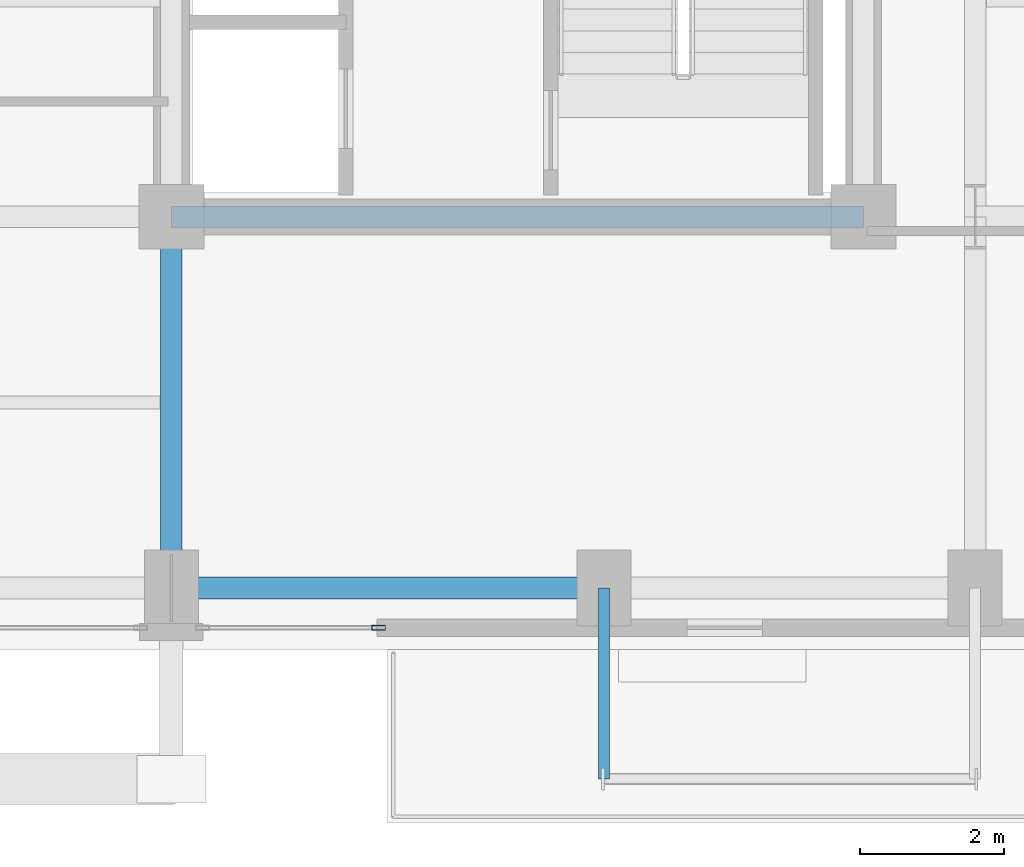
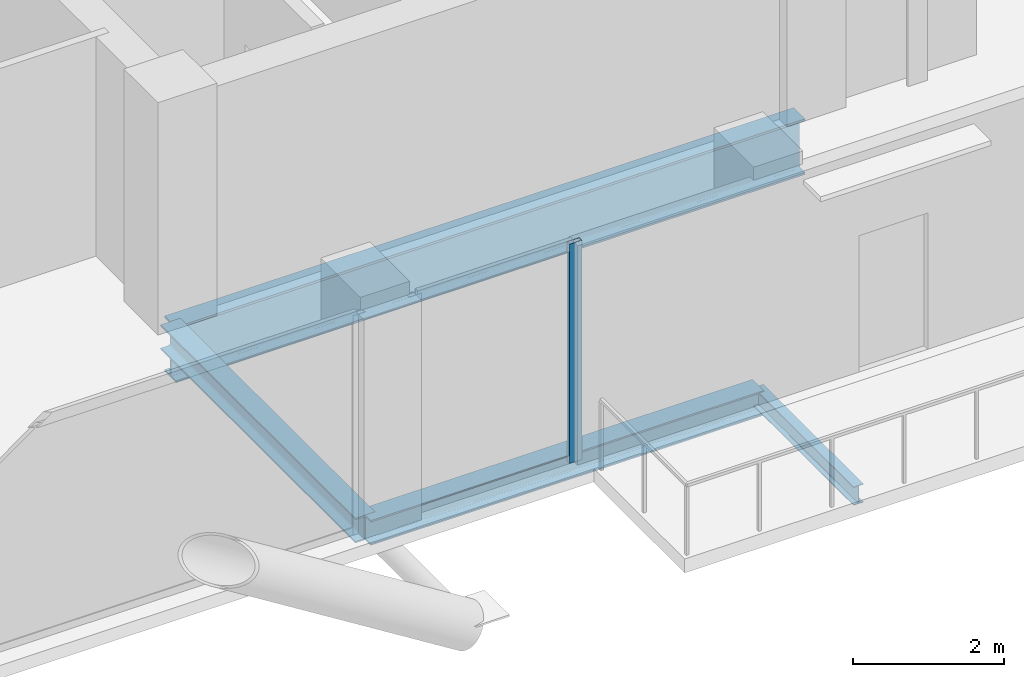
# One storey, part 5 of 25: 4 beams, 1 member, 1 element without a shape of its own.
"""IFC4 building model written with IfcOpenShell, lengths in metres."""

from ifc_helpers import new_model, si_unit, direction, frame, origin, origin_2d, place, context, subcontext, project, spatial, hollow_rectangle, i_section, extrude, material, layer, layer_set, material_profile, profile_set, type_object, element, aggregate, save


model = new_model("IFC4")

# Units and contexts
model_context = context("Model", 3, precision=1e-05, world=origin(), true_north=direction((0.0, 1.0)))
body_context = subcontext(model_context, "Body", "Model", "MODEL_VIEW")
ifc_project = project(units=[si_unit("LENGTHUNIT", "METRE"), si_unit("AREAUNIT", "SQUARE_METRE"), si_unit("VOLUMEUNIT", "CUBIC_METRE"), si_unit("PLANEANGLEUNIT", "RADIAN"), si_unit("MASSUNIT", "GRAM", prefix="KILO"), si_unit("THERMODYNAMICTEMPERATUREUNIT", "KELVIN"), si_unit("POWERUNIT", "WATT")], contexts=[model_context])

# Site, building, storey
site_placement = place(None, origin())
site = spatial("IfcSite", under=ifc_project, at=site_placement, CompositionType="ELEMENT")
building_placement = place(site_placement, origin())
building = spatial("IfcBuilding", under=site, at=building_placement, Name="Svarakhadi Broadcast Tower", CompositionType="ELEMENT")
storey_placement = place(building_placement, frame((0.0, 0.0, 216.14990234375)))
storey = spatial("IfcBuildingStorey", under=building, at=storey_placement, Name="L53", CompositionType="ELEMENT", Elevation=216.14990234375)

# Curtain wall, member
ifc_material_1 = material(Name="Anodised Bronze Aluminium AA 6063-T6", Category="aluminium")
ifc_layer = layer(ifc_material_1, 0.18994140625)
ifc_layer_set = layer_set([ifc_layer], Name="Anodised Bronze Aluminium AA 6063-T6")
curtain_wall_type = type_object("IfcCurtainWallType", Name="CW_Sys_04", PredefinedType="NOTDEFINED", material=ifc_layer_set)
curtain_wall_placement = place(storey_placement, origin())
curtain_wall = element("IfcCurtainWall", 1, at=curtain_wall_placement, inside=storey, type_object=curtain_wall_type, Name="L53 South Curtain Wall 17 Bay 1", PredefinedType="NOTDEFINED")
ifc_material_profile_1 = material_profile(ifc_material_1, hollow_rectangle(XDim=0.070068359375, YDim=0.18994140625, WallThickness=0.005615234375, at=origin_2d()), Name="ALU MULLION 190x70x6")
ifc_profile_set_1 = profile_set([ifc_material_profile_1], Name="Anodised Bronze Aluminium AA 6063-T6")
member_type = type_object("IfcMemberType", Name="CW_Sys_04_Mul", PredefinedType="MULLION", material=ifc_profile_set_1)
member_placement = place(storey_placement, frame((26.875, 0.300048828125, 0.0), z_axis=(0.0, 0.0, 1.0), x_axis=(0.0, -1.0, 0.0)))
member = element("IfcMember", 2, at=member_placement, type_object=member_type, Name="CW-04 mullion 1", PredefinedType="MULLION", context=body_context, shape_type="SweptSolid", body=[
    extrude(hollow_rectangle(XDim=0.070068359375, YDim=0.18994140625, WallThickness=0.005615234375, at=origin_2d()), origin(), (0.0, 0.0, 1.0), 3.5400390625),
])
aggregate(curtain_wall, [member])

# Beams
ifc_material_2 = material(Name="Steel S355J2 (IS 2062 E350C)", Category="steel")
ifc_material_profile_2 = material_profile(ifc_material_2, i_section(OverallWidth=0.300048828125, OverallDepth=0.39990234375, WebThickness=0.013427734375, FlangeThickness=0.02392578125, FilletRadius=0.027099609375, at=origin_2d()), Name="WPB 400x300x155")
ifc_profile_set_2 = profile_set([ifc_material_profile_2], Name="Steel S355J2 (IS 2062 E350C)")
beam_type_1 = type_object("IfcBeamType", Name="Girder_WPB400", PredefinedType="USERDEFINED", material=ifc_profile_set_2)
beam_1_placement = place(storey_placement, frame((24.0, 0.85009765625, -0.409912109375), z_axis=(1.0, 0.0, 0.0), x_axis=(0.0, 1.0, 0.0)))
element("IfcBeam", 3, at=beam_1_placement, inside=storey, type_object=beam_type_1, Name="L53 Primary E-W Girder G007", ObjectType="GIRDER", PredefinedType="USERDEFINED", context=body_context, shape_type="SweptSolid", body=[
    extrude(i_section(OverallWidth=0.300048828125, OverallDepth=0.39990234375, WebThickness=0.013427734375, FlangeThickness=0.02392578125, FilletRadius=0.027099609375, at=origin_2d()), origin(), (0.0, 0.0, 1.0), 6.0),
])
beam_2_placement = place(storey_placement, frame((24.0, 0.85009765625, -0.409912109375), z_axis=(0.0, 1.0, 0.0), x_axis=(-1.0, 0.0, 0.0)))
element("IfcBeam", 4, at=beam_2_placement, inside=storey, type_object=beam_type_1, Name="L53 Primary N-S Girder G051", ObjectType="GIRDER", PredefinedType="USERDEFINED", context=body_context, shape_type="SweptSolid", body=[
    extrude(i_section(OverallWidth=0.300048828125, OverallDepth=0.39990234375, WebThickness=0.013427734375, FlangeThickness=0.02392578125, FilletRadius=0.027099609375, at=origin_2d()), origin(), (0.0, 0.0, 1.0), 5.14990234375),
])
ifc_material_3 = material(Name="Steel S460ML (IS 2062 E450BR)", Category="steel")
ifc_material_profile_3 = material_profile(ifc_material_3, i_section(OverallWidth=0.300048828125, OverallDepth=0.89990234375, WebThickness=0.0185546875, FlangeThickness=0.034912109375, FilletRadius=0.030029296875, at=origin_2d()), Name="WPB 900x300x291")
ifc_profile_set_3 = profile_set([ifc_material_profile_3], Name="Steel S460ML (IS 2062 E450BR)")
beam_type_2 = type_object("IfcBeamType", Name="Girder_WPB900", PredefinedType="USERDEFINED", material=ifc_profile_set_3)
beam_3_placement = place(storey_placement, frame((24.0, 6.0, -0.659912109375), z_axis=(1.0, 0.0, 0.0), x_axis=(0.0, 1.0, 0.0)))
element("IfcBeam", 5, at=beam_3_placement, inside=storey, type_object=beam_type_2, Name="L53 Primary E-W Girder G013", ObjectType="GIRDER", PredefinedType="USERDEFINED", context=body_context, shape_type="SweptSolid", body=[
    extrude(i_section(OverallWidth=0.300048828125, OverallDepth=0.89990234375, WebThickness=0.0185546875, FlangeThickness=0.034912109375, FilletRadius=0.030029296875, at=origin_2d()), origin(), (0.0, 0.0, 1.0), 9.60009765625),
])
ifc_material_profile_4 = material_profile(ifc_material_2, i_section(OverallWidth=0.14990234375, OverallDepth=0.300048828125, WebThickness=0.007080078125, FlangeThickness=0.0107421875, FilletRadius=0.014892578125, at=origin_2d()), Name="NPB 300x150x37")
ifc_profile_set_4 = profile_set([ifc_material_profile_4], Name="Steel S355J2 (IS 2062 E350C)")
beam_type_3 = type_object("IfcBeamType", Name="Spandrel_NPB300", PredefinedType="SPANDREL", material=ifc_profile_set_4)
beam_4_placement = place(storey_placement, frame((30.0, 0.85009765625, -0.375), z_axis=(0.0, -1.0, 0.0), x_axis=(1.0, 0.0, 0.0)))
element("IfcBeam", 6, at=beam_4_placement, inside=storey, type_object=beam_type_3, Name="L53 Balcony Cantilever Bracket 1A", PredefinedType="SPANDREL", context=body_context, shape_type="SweptSolid", body=[
    extrude(i_section(OverallWidth=0.14990234375, OverallDepth=0.300048828125, WebThickness=0.007080078125, FlangeThickness=0.0107421875, FilletRadius=0.014892578125, at=origin_2d()), origin(), (0.0, 0.0, 1.0), 2.650146484375),
])

save(model, "model.ifc")
